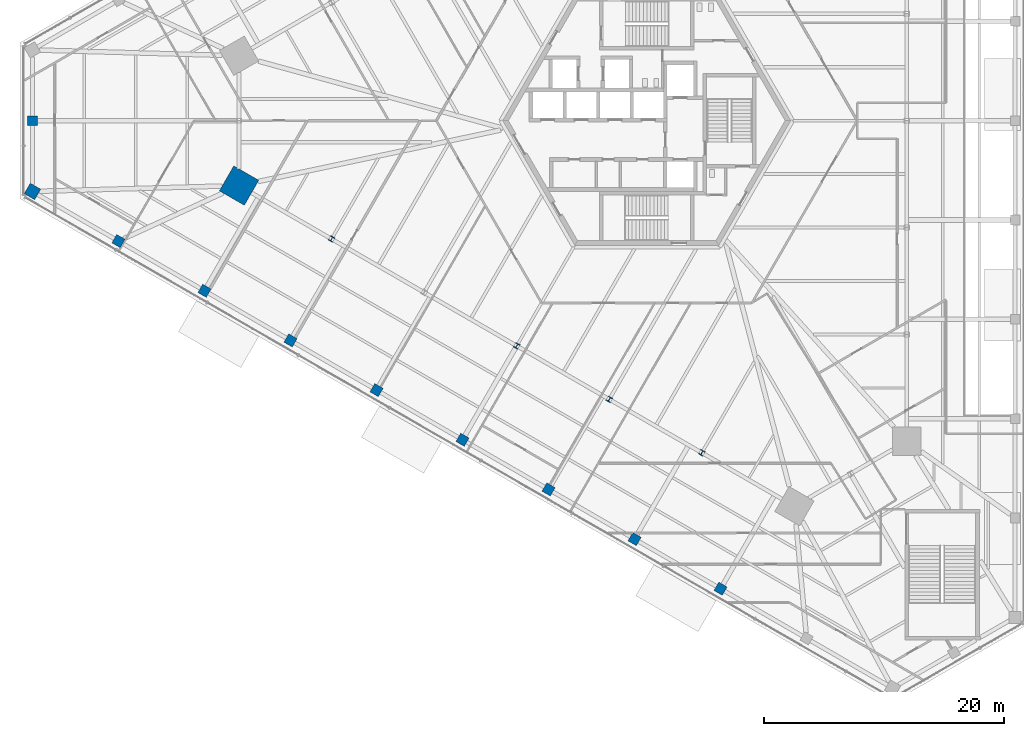
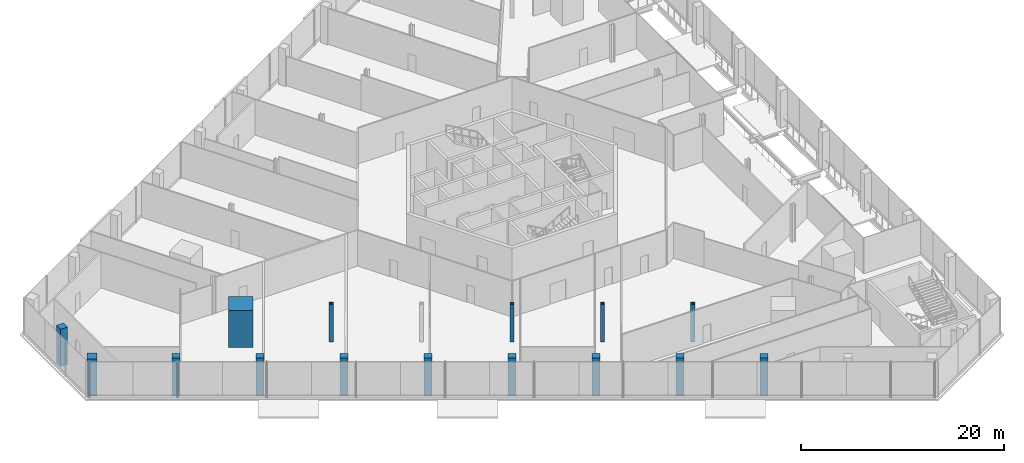
# One storey, part 1 of 27: 15 columns.
"""IFC4 building model written with IfcOpenShell, lengths in metres."""

from ifc_helpers import new_model, si_unit, direction, frame, origin, origin_2d, place, context, subcontext, project, spatial, rectangle, i_section, extrude, source, transform, mapped, material, material_profile, profile_set, type_object, element, save


model = new_model("IFC4")

# Units and contexts
model_context = context("Model", 3, precision=1e-05, world=origin(), true_north=direction((0.0, 1.0)))
body_context = subcontext(model_context, "Body", "Model", "MODEL_VIEW")
ifc_project = project(units=[si_unit("LENGTHUNIT", "METRE"), si_unit("AREAUNIT", "SQUARE_METRE"), si_unit("VOLUMEUNIT", "CUBIC_METRE"), si_unit("PLANEANGLEUNIT", "RADIAN"), si_unit("MASSUNIT", "GRAM", prefix="KILO")], contexts=[model_context])

# Site, building, storey
site_placement = place(None, origin())
site = spatial("IfcSite", under=ifc_project, at=site_placement, CompositionType="ELEMENT")
building_placement = place(site_placement, origin())
building = spatial("IfcBuilding", under=site, at=building_placement, Name="Triune Harvest Tower", CompositionType="ELEMENT")
storey_placement = place(building_placement, frame((0.0, 0.0, 7.0)))
storey = spatial("IfcBuildingStorey", under=building, at=storey_placement, Name="L01", CompositionType="ELEMENT", Elevation=7.0)

# Columns
ifc_material_1 = material(Name="Concrete 70 MPa", Category="concrete")
ifc_material_profile_1 = material_profile(ifc_material_1, rectangle(XDim=2.39990234375, YDim=2.39990234375, at=origin_2d()), Name="Composite 2400x2400")
ifc_profile_set_1 = profile_set([ifc_material_profile_1], Name="Concrete 70 MPa")
column_type_1 = type_object("IfcColumnType", Name="MC-1 Mega column Composite 2400x2400", PredefinedType="COLUMN", material=ifc_profile_set_1)
shared_shape_1 = source(origin(), body_context, "Body", "SweptSolid", [
    extrude(rectangle(XDim=2.39990234375, YDim=2.39990234375, at=origin_2d()), origin(), (0.0, 0.0, 1.0), 4.5),
])
column_1_placement = place(storey_placement, frame((-33.988525390625, -5.409912109375, 0.0), z_axis=(0.0, 0.0, 1.0), x_axis=(0.866025403784, -0.5, 0.0)))
element("IfcColumn", 1, at=column_1_placement, inside=storey, type_object=column_type_1, Name="col/L01/M16", PredefinedType="COLUMN", context=body_context, shape_type="MappedRepresentation", body=[
    mapped(shared_shape_1, transform((0.0, 0.0, 0.0), scale=1.0)),
])
ifc_material_2 = material(Name="Steel ASTM A992 Gr 50", Category="steel")
ifc_material_profile_2 = material_profile(ifc_material_2, i_section(OverallWidth=0.40380859375, OverallDepth=0.406494140625, WebThickness=0.027099609375, FlangeThickness=0.043701171875, at=origin_2d()), Name="W14x233")
ifc_profile_set_2 = profile_set([ifc_material_profile_2], Name="Steel ASTM A992 Gr 50")
column_type_2 = type_object("IfcColumnType", Name="PC-1 Perimeter column W14x233", PredefinedType="COLUMN", material=ifc_profile_set_2)
shared_shape_2 = source(origin(), body_context, "Body", "SweptSolid", [
    extrude(i_section(OverallWidth=0.40380859375, OverallDepth=0.406494140625, WebThickness=0.027099609375, FlangeThickness=0.043701171875, at=origin_2d()), origin(), (0.0, 0.0, 1.0), 4.5),
])
for number, where, z_axis, x_axis, name in (
    (2, (-26.272216796875, -9.864990234375, 0.0), (0.0, 0.0, 1.0), (0.866025403784, -0.5, 0.0), "col/L01/P17"),
    (3, (-10.839599609375, -18.77490234375, 0.0), (0.0, 0.0, 1.0), (0.866025403784, -0.5, 0.0), "col/L01/P19"),
    (4, (-3.12353515625, -23.22998046875, 0.0), (0.0, 0.0, 1.0), (0.866025403784, -0.5, 0.0), "col/L01/P20"),
    (5, (4.5927734375, -27.68505859375, 0.0), (0.0, 0.0, 1.0), (0.866025403784, -0.5, 0.0), "col/L01/P21"),
):
    element("IfcColumn", number, at=place(storey_placement, frame(where, z_axis=z_axis, x_axis=x_axis)), inside=storey, type_object=column_type_2, Name=name, PredefinedType="COLUMN", context=body_context, shape_type="MappedRepresentation", body=[
        mapped(shared_shape_2, transform((0.0, 0.0, 0.0), scale=1.0)),
    ])
ifc_material_3 = material(Name="Concrete 50 MPa", Category="concrete")
ifc_material_profile_3 = material_profile(ifc_material_3, rectangle(XDim=1.0, YDim=1.0, at=origin_2d()), Name="Concrete 1000x1000")
ifc_profile_set_3 = profile_set([ifc_material_profile_3], Name="Concrete 50 MPa")
column_type_3 = type_object("IfcColumnType", Name="PD-1 Podium column Concrete 1000x1000", PredefinedType="COLUMN", material=ifc_profile_set_3)
shared_shape_3 = source(origin(), body_context, "Body", "SweptSolid", [
    extrude(rectangle(XDim=1.0, YDim=1.0, at=origin_2d()), origin(), (0.0, 0.0, 1.0), 4.5),
])
column_2_placement = place(storey_placement, frame((-51.2109375, -5.89990234375, 0.0), z_axis=(0.0, 0.0, 1.0), x_axis=(0.866025403784, -0.5, 0.0)))
element("IfcColumn", 6, at=column_2_placement, inside=storey, type_object=column_type_3, Name="col/L01/D24", PredefinedType="COLUMN", context=body_context, shape_type="MappedRepresentation", body=[
    mapped(shared_shape_3, transform((0.0, 0.0, 0.0), scale=1.0)),
])
ifc_material_4 = material(Name="Concrete 50 MPa", Category="concrete")
ifc_material_profile_4 = material_profile(ifc_material_4, rectangle(XDim=0.800048828125, YDim=0.800048828125, at=origin_2d()), Name="Concrete 800x800")
ifc_profile_set_4 = profile_set([ifc_material_profile_4], Name="Concrete 50 MPa")
column_type_4 = type_object("IfcColumnType", Name="PD-2 Podium column Concrete 800x800", PredefinedType="COLUMN", material=ifc_profile_set_4)
shared_shape_4 = source(origin(), body_context, "Body", "SweptSolid", [
    extrude(rectangle(XDim=0.800048828125, YDim=0.800048828125, at=origin_2d()), origin(), (0.0, 0.0, 1.0), 4.5),
])
for number, where, z_axis, x_axis, name in (
    (7, (-51.2109375, 0.0, 0.0), (0.0, 0.0, 1.0), (0.0, -1.0, 0.0), "col/L01/D23"),
    (8, (-44.040283203125, -10.0400390625, 0.0), (0.0, 0.0, 1.0), (0.866025403784, -0.5, 0.0), "col/L01/D25"),
    (9, (-36.86962890625, -14.179931640625, 0.0), (0.0, 0.0, 1.0), (0.866025403784, -0.5, 0.0), "col/L01/D26"),
    (10, (-29.698974609375, -18.320068359375, 0.0), (0.0, 0.0, 1.0), (0.866025403784, -0.5, 0.0), "col/L01/D27"),
    (11, (-22.5283203125, -22.4599609375, 0.0), (0.0, 0.0, 1.0), (0.866025403784, -0.5, 0.0), "col/L01/D28"),
    (12, (-15.357666015625, -26.60009765625, 0.0), (0.0, 0.0, 1.0), (0.866025403784, -0.5, 0.0), "col/L01/D29"),
    (13, (-8.18701171875, -30.739990234375, 0.0), (0.0, 0.0, 1.0), (0.866025403784, -0.5, 0.0), "col/L01/D30"),
    (14, (-1.01611328125, -34.8798828125, 0.0), (0.0, 0.0, 1.0), (0.866025403784, -0.5, 0.0), "col/L01/D31"),
    (15, (6.154541015625, -39.02001953125, 0.0), (0.0, 0.0, 1.0), (0.866025403784, -0.5, 0.0), "col/L01/D32"),
):
    element("IfcColumn", number, at=place(storey_placement, frame(where, z_axis=z_axis, x_axis=x_axis)), inside=storey, type_object=column_type_4, Name=name, PredefinedType="COLUMN", context=body_context, shape_type="MappedRepresentation", body=[
        mapped(shared_shape_4, transform((0.0, 0.0, 0.0), scale=1.0)),
    ])

save(model, "model.ifc")
